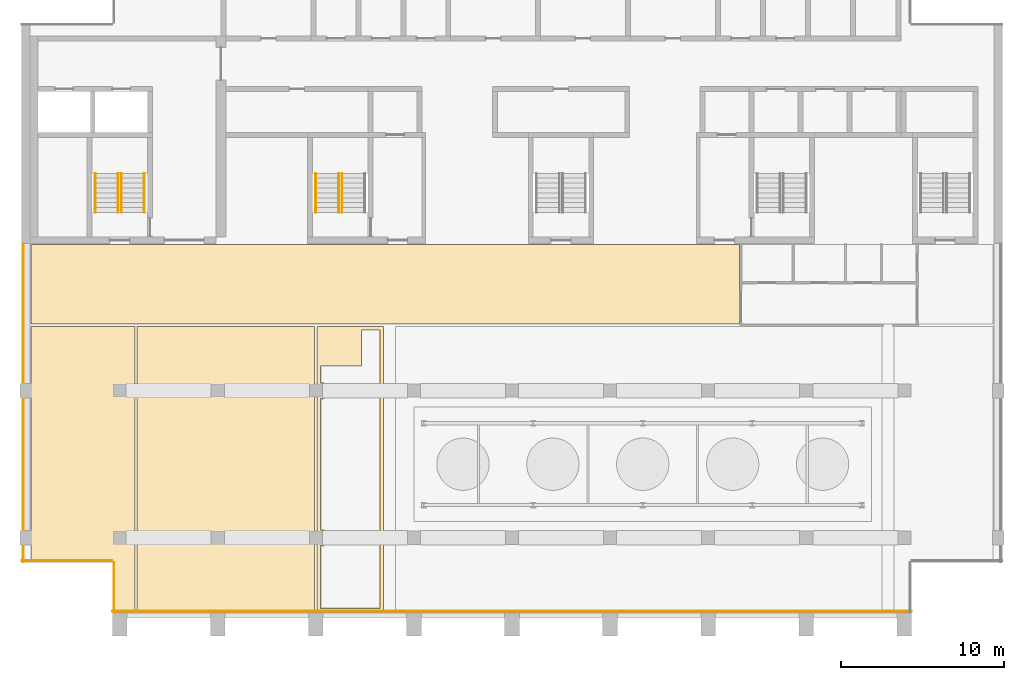
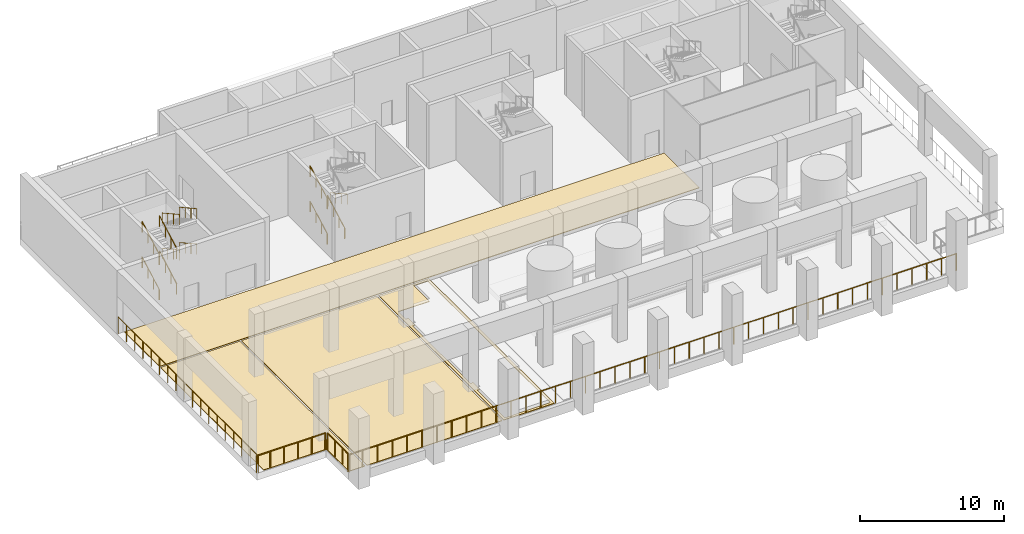
# One storey, part 8 of 11: 16 railings, 4 coverings, 2 elements without a shape of their own.
"""IFC4 building model written with IfcOpenShell, lengths in metres."""

import ifcopenshell
import ifcopenshell.guid

model = None  # the IFC model being written
_history = None  # IfcOwnerHistory: only IFC2X3 demands one
_inside = {}  # id of a spatial element -> (the spatial element, [elements in it])
_under = {}  # id of a project, library or spatial element -> (it, [spatial elements below it])
_declared = {}  # id of a project -> (the project, [libraries it declares])
_typed = {}  # id of a type object -> (the type object, [elements of that type])
_made_of = {}  # id of a material, layer set ... -> (it, [elements and type objects made of it])


def new_model(schema):
    """Start an empty IFC model of exactly this schema.

    Asked for "IFC4X3", IfcOpenShell would pick the latest addendum, in which some entities
    have other attributes; the version numbers below select the first issue.
    IFC2X3 requires an IfcOwnerHistory on every rooted entity: one is made here for all.
    """
    global model, _history
    if schema == "IFC4X3":
        model = ifcopenshell.file(schema_version=(4, 3, 0, 0))
    else:
        model = ifcopenshell.file(schema=schema)
    _inside.clear()
    _under.clear()
    _declared.clear()
    _typed.clear()
    _made_of.clear()
    _history = None
    if model.schema == "IFC2X3":
        org = make("IfcOrganization", Name="unknown")
        user = make(
            "IfcPersonAndOrganization",
            ThePerson=make("IfcPerson", FamilyName="unknown"),
            TheOrganization=org,
        )
        app = make(
            "IfcApplication",
            ApplicationDeveloper=org,
            Version="unknown",
            ApplicationFullName="unknown",
            ApplicationIdentifier="unknown",
        )
        _history = make(
            "IfcOwnerHistory",
            OwningUser=user,
            OwningApplication=app,
            ChangeAction="ADDED",
            CreationDate=0,
        )
    return model


def make(cls, **values):
    """One entity of the class cls with the attributes given. An attribute that is None is left unset."""
    return model.create_entity(
        cls, **{name: value for name, value in values.items() if value is not None}
    )


def rooted(cls, **values):
    """An entity with a GlobalId (a new one), such as an element, a storey or a relation."""
    return make(cls, GlobalId=ifcopenshell.guid.new(), OwnerHistory=_history, **values)


def si_unit(unit_type, name, prefix=None):
    """IfcSIUnit, for example si_unit("LENGTHUNIT", "METRE", prefix="MILLI")."""
    return make("IfcSIUnit", UnitType=unit_type, Prefix=prefix, Name=name)


def assignment(units):
    """IfcUnitAssignment: the units of a project."""
    return None if units is None else make("IfcUnitAssignment", Units=units)


def point(xyz):
    """IfcCartesianPoint."""
    return None if xyz is None else make("IfcCartesianPoint", Coordinates=xyz)


def direction(xyz):
    """IfcDirection."""
    return None if xyz is None else make("IfcDirection", DirectionRatios=xyz)


def frame(location, z_axis=None, x_axis=None):
    """IfcAxis2Placement3D, a coordinate frame: its origin and axes. An axis left out is left unset."""
    return make(
        "IfcAxis2Placement3D",
        Location=point(location),
        Axis=direction(z_axis),
        RefDirection=direction(x_axis),
    )


def frame_2d(location, x_axis=None):
    """IfcAxis2Placement2D, a coordinate frame in the plane: its origin and x axis."""
    return make(
        "IfcAxis2Placement2D", Location=point(location), RefDirection=direction(x_axis)
    )


def origin():
    """The frame at (0, 0, 0) with its axes left unset."""
    return frame((0.0, 0.0, 0.0))


def origin_2d():
    """The frame at (0, 0) in the plane with its x axis left unset."""
    return frame_2d((0.0, 0.0))


def place(relative_to, where):
    """IfcLocalPlacement: puts the frame where relative to a parent placement (None: the world)."""
    return make(
        "IfcLocalPlacement", PlacementRelTo=relative_to, RelativePlacement=where
    )


def context(
    kind, dimensions, precision=None, world=None, true_north=None, identifier=None
):
    """IfcGeometricRepresentationContext, for example the 3D "Model" context."""
    return make(
        "IfcGeometricRepresentationContext",
        ContextIdentifier=identifier,
        ContextType=kind,
        CoordinateSpaceDimension=dimensions,
        Precision=precision,
        WorldCoordinateSystem=world,
        TrueNorth=true_north,
    )


def subcontext(parent, identifier, kind, view, scale=None):
    """IfcGeometricRepresentationSubContext, for example "Body" below "Model"."""
    return make(
        "IfcGeometricRepresentationSubContext",
        ContextIdentifier=identifier,
        ContextType=kind,
        ParentContext=parent,
        TargetScale=scale,
        TargetView=view,
    )


def project(units=None, contexts=None):
    """IfcProject with its units and contexts."""
    return rooted(
        "IfcProject",
        Name="project",
        RepresentationContexts=contexts,
        UnitsInContext=assignment(units),
    )


def spatial(cls, under=None, at=None, **own):
    """A site, building, storey or space (cls), placed at a placement, below another one or the project."""
    s = rooted(cls, ObjectPlacement=at, **own)
    if under is not None:
        _under.setdefault(under.id(), (under, []))[1].append(s)
    return s


def polyline(points):
    """IfcPolyline through the points."""
    return make("IfcPolyline", Points=[point(p) for p in points])


def profile(cls, at=None, kind="AREA", **sizes):
    """A parametric profile (cls). Its sizes go by their IFC names, for example OverallWidth=200.0."""
    return make(cls, ProfileType=kind, Position=at, **sizes)


def circle(**sizes):
    """IfcCircleProfileDef."""
    return profile("IfcCircleProfileDef", **sizes)


def outline(outer, holes=None, kind="AREA"):
    """IfcArbitraryClosedProfileDef: a profile drawn as a closed curve; with holes, ...WithVoids."""
    if holes is None:
        return make("IfcArbitraryClosedProfileDef", ProfileType=kind, OuterCurve=outer)
    return make(
        "IfcArbitraryProfileDefWithVoids",
        ProfileType=kind,
        OuterCurve=outer,
        InnerCurves=holes,
    )


def extrude(swept, where, along, depth):
    """IfcExtrudedAreaSolid: the profile swept, set in the frame where, extruded along a direction by depth."""
    return make(
        "IfcExtrudedAreaSolid",
        SweptArea=swept,
        Position=where,
        ExtrudedDirection=direction(along),
        Depth=depth,
    )


def shape(context_of_items, identifier, shape_type, items):
    """IfcShapeRepresentation: the items that make up one representation, for example the "Body"."""
    return make(
        "IfcShapeRepresentation",
        ContextOfItems=context_of_items,
        RepresentationIdentifier=identifier,
        RepresentationType=shape_type,
        Items=items,
    )


def material(Name=None, Category=None):
    """IfcMaterial."""
    return make("IfcMaterial", Name=Name, Category=Category)


def layer(
    of_material, thickness, ventilated=None, Name=None, Category=None, Priority=None
):
    """IfcMaterialLayer: one layer of a wall or slab, of a material (None: an air gap)."""
    return make(
        "IfcMaterialLayer",
        Material=of_material,
        LayerThickness=thickness,
        IsVentilated=ventilated,
        Name=Name,
        Category=Category,
        Priority=Priority,
    )


def layer_set(layers, Name=None):
    """IfcMaterialLayerSet."""
    return make("IfcMaterialLayerSet", MaterialLayers=layers, LayerSetName=Name)


def made_of(thing, what):
    """Note that an element or type object is made of a material, layer set ...; save() writes the relation."""
    if what is not None:
        _made_of.setdefault(what.id(), (what, []))[1].append(thing)
    return thing


def type_object(cls, material=None, **own):
    """A type object (cls), such as IfcWallType, which elements share."""
    return made_of(rooted(cls, **own), material)


def element(
    cls,
    number,
    at=None,
    inside=None,
    cuts=None,
    type_object=None,
    material=None,
    context=None,
    identifier="Body",
    shape_type=None,
    held_by="IfcProductDefinitionShape",
    body=None,
    shapes=None,
    **own,
):
    """One element of the class cls, such as IfcWall. Its Tag is "e" and its number.

    at: its placement. inside: the storey or other place that contains it. cuts: it is an
    opening in that element (IfcRelVoidsElement). A single representation is given by context,
    identifier, shape_type and body (its items); several are given by shapes. held_by: the class
    of the entity that holds the representations. save() writes the other relations.
    """
    e = rooted(cls, Tag="e%d" % number, ObjectPlacement=at, **own)
    if body is not None:
        shapes = [shape(context, identifier, shape_type, body)]
    if shapes is not None:
        e.Representation = make(held_by, Representations=shapes)
    if inside is not None:
        _inside.setdefault(inside.id(), (inside, []))[1].append(e)
    if cuts is not None:
        rooted(
            "IfcRelVoidsElement", RelatingBuildingElement=cuts, RelatedOpeningElement=e
        )
    if type_object is not None:
        _typed.setdefault(type_object.id(), (type_object, []))[1].append(e)
    return made_of(e, material)


def aggregate(whole, parts):
    """IfcRelAggregates: a whole, such as a stair, and the parts it consists of."""
    return rooted("IfcRelAggregates", RelatingObject=whole, RelatedObjects=parts)


def save(model, path):
    """Write the relations noted so far, then the file.

    IfcRelAggregates (storeys below a building ...), IfcRelContainedInSpatialStructure (elements
    in a storey), IfcRelDefinesByType, IfcRelAssociatesMaterial and IfcRelDeclares: one each for
    every whole, place, type object, material and project.
    """
    for whole, parts in _under.values():
        aggregate(whole, parts)
    for where, things in _inside.values():
        rooted(
            "IfcRelContainedInSpatialStructure",
            RelatedElements=things,
            RelatingStructure=where,
        )
    for kind, things in _typed.values():
        rooted("IfcRelDefinesByType", RelatedObjects=things, RelatingType=kind)
    for what, things in _made_of.values():
        rooted("IfcRelAssociatesMaterial", RelatedObjects=things, RelatingMaterial=what)
    for by, libraries in _declared.values():
        rooted("IfcRelDeclares", RelatingContext=by, RelatedDefinitions=libraries)
    model.write(path)


model = new_model("IFC4")

# Units and contexts
model_context = context("Model", 3, precision=1e-05, world=origin(), true_north=direction((0.0, 1.0)))
body_context = subcontext(model_context, "Body", "Model", "MODEL_VIEW")
ifc_project = project(units=[si_unit("LENGTHUNIT", "METRE"), si_unit("AREAUNIT", "SQUARE_METRE"), si_unit("VOLUMEUNIT", "CUBIC_METRE"), si_unit("PLANEANGLEUNIT", "RADIAN"), si_unit("MASSUNIT", "GRAM", prefix="KILO")], contexts=[model_context])

# Site, building, storey
site_placement = place(None, origin())
site = spatial("IfcSite", under=ifc_project, at=site_placement, CompositionType="ELEMENT")
building_placement = place(site_placement, origin())
building = spatial("IfcBuilding", under=site, at=building_placement, Name="Calvaro Tower", CompositionType="ELEMENT")
storey_placement = place(building_placement, frame((0.0, 0.0, 265.949951171875)))
storey = spatial("IfcBuildingStorey", under=building, at=storey_placement, Name="L67", CompositionType="ELEMENT", Elevation=265.949951171875)

# Coverings
ifc_material_1 = material(Name="Cement screed with carpet tile finish")
ifc_layer = layer(ifc_material_1, 0.050048828125)
ifc_layer_set = layer_set([ifc_layer], Name="Cement screed with carpet tile finish")
covering_type = type_object("IfcCoveringType", Name="Floor finish 50", PredefinedType="FLOORING", material=ifc_layer_set)
covering_1_placement = place(storey_placement, origin())
element("IfcCovering", 1, at=covering_1_placement, inside=storey, type_object=covering_type, Name="Floor finish 39.02", PredefinedType="FLOORING", context=body_context, shape_type="SweptSolid", body=[
    extrude(outline(polyline([(49.929931640625, 23.070068359375), (6.570068359375, 23.070068359375), (6.570068359375, 27.929931640625), (49.929931640625, 27.929931640625), (49.929931640625, 23.070068359375)])), origin(), (0.0, 0.0, 1.0), 0.050048828125),
])
covering_2_placement = place(storey_placement, origin())
element("IfcCovering", 2, at=covering_2_placement, inside=storey, type_object=covering_type, Name="Floor finish 39.07", PredefinedType="FLOORING", context=body_context, shape_type="SweptSolid", body=[
    extrude(outline(polyline([(12.929931640625, 5.469970703125), (11.6201171875, 5.469970703125), (11.6201171875, 8.570068359375), (6.570068359375, 8.570068359375), (6.570068359375, 22.929931640625), (12.929931640625, 22.929931640625), (12.929931640625, 5.469970703125)])), origin(), (0.0, 0.0, 1.0), 0.050048828125),
])
covering_3_placement = place(storey_placement, origin())
element("IfcCovering", 3, at=covering_3_placement, inside=storey, type_object=covering_type, Name="Floor finish 39.04", PredefinedType="FLOORING", context=body_context, shape_type="SweptSolid", body=[
    extrude(outline(polyline([(23.929931640625, 22.929931640625), (23.929931640625, 5.469970703125), (13.070068359375, 5.469970703125), (13.070068359375, 22.929931640625), (23.929931640625, 22.929931640625)])), origin(), (0.0, 0.0, 1.0), 0.050048828125),
])
covering_4_placement = place(storey_placement, origin())
element("IfcCovering", 4, at=covering_4_placement, inside=storey, type_object=covering_type, Name="Floor finish 39.05", PredefinedType="FLOORING", context=body_context, shape_type="SweptSolid", body=[
    extrude(outline(polyline([(28.1298828125, 22.929931640625), (28.1298828125, 5.469970703125), (24.070068359375, 5.469970703125), (24.070068359375, 22.929931640625), (28.1298828125, 22.929931640625)]), holes=[polyline([(27.919921875, 22.699951171875), (27.919921875, 22.701904296875), (27.919677734375, 22.703857421875), (27.919189453125, 22.705810546875), (27.91845703125, 22.707763671875), (27.91748046875, 22.70947265625), (27.91650390625, 22.711181640625), (27.91552734375, 22.712646484375), (27.9140625, 22.714111328125), (27.91259765625, 22.715576171875), (27.9111328125, 22.716552734375), (27.909423828125, 22.717529296875), (27.90771484375, 22.718505859375), (27.90576171875, 22.718994140625), (27.90380859375, 22.719482421875), (27.902099609375, 22.719970703125), (27.89990234375, 22.719970703125), (26.800048828125, 22.719970703125), (26.798095703125, 22.719970703125), (26.796142578125, 22.719482421875), (26.794189453125, 22.718994140625), (26.792236328125, 22.718505859375), (26.79052734375, 22.717529296875), (26.788818359375, 22.716552734375), (26.787353515625, 22.715576171875), (26.785888671875, 22.714111328125), (26.784423828125, 22.712646484375), (26.783447265625, 22.711181640625), (26.782470703125, 22.70947265625), (26.781494140625, 22.707763671875), (26.781005859375, 22.705810546875), (26.780517578125, 22.703857421875), (26.780029296875, 22.701904296875), (26.780029296875, 22.699951171875), (26.780029296875, 20.52001953125), (24.300048828125, 20.52001953125), (24.298095703125, 20.52001953125), (24.296142578125, 20.51953125), (24.294189453125, 20.51904296875), (24.292236328125, 20.5185546875), (24.29052734375, 20.517578125), (24.288818359375, 20.5166015625), (24.287353515625, 20.515380859375), (24.285888671875, 20.51416015625), (24.284423828125, 20.5126953125), (24.283447265625, 20.510986328125), (24.282470703125, 20.509521484375), (24.281494140625, 20.5078125), (24.281005859375, 20.505859375), (24.280517578125, 20.50390625), (24.280029296875, 20.501953125), (24.280029296875, 20.5), (24.280029296875, 19.5), (24.280029296875, 19.498046875), (24.280517578125, 19.49609375), (24.281005859375, 19.494140625), (24.281494140625, 19.4921875), (24.282470703125, 19.490478515625), (24.283447265625, 19.489013671875), (24.284423828125, 19.4873046875), (24.285888671875, 19.48583984375), (24.287353515625, 19.484619140625), (24.288818359375, 19.4833984375), (24.29052734375, 19.482421875), (24.292236328125, 19.4814453125), (24.294189453125, 19.48095703125), (24.296142578125, 19.48046875), (24.298095703125, 19.47998046875), (24.300048828125, 19.47998046875), (24.47998046875, 19.47998046875), (24.47998046875, 18.52001953125), (24.300048828125, 18.52001953125), (24.298095703125, 18.52001953125), (24.296142578125, 18.51953125), (24.294189453125, 18.51904296875), (24.292236328125, 18.5185546875), (24.29052734375, 18.517578125), (24.288818359375, 18.5166015625), (24.287353515625, 18.515380859375), (24.285888671875, 18.51416015625), (24.284423828125, 18.5126953125), (24.283447265625, 18.510986328125), (24.282470703125, 18.509521484375), (24.281494140625, 18.5078125), (24.281005859375, 18.505859375), (24.280517578125, 18.50390625), (24.280029296875, 18.501953125), (24.280029296875, 18.5), (24.280029296875, 10.5), (24.280029296875, 10.498046875), (24.280517578125, 10.49609375), (24.281005859375, 10.494140625), (24.281494140625, 10.4921875), (24.282470703125, 10.490478515625), (24.283447265625, 10.489013671875), (24.284423828125, 10.4873046875), (24.285888671875, 10.48583984375), (24.287353515625, 10.484619140625), (24.288818359375, 10.4833984375), (24.29052734375, 10.482421875), (24.292236328125, 10.4814453125), (24.294189453125, 10.48095703125), (24.296142578125, 10.48046875), (24.298095703125, 10.47998046875), (24.300048828125, 10.47998046875), (24.47998046875, 10.47998046875), (24.47998046875, 9.52001953125), (24.300048828125, 9.52001953125), (24.298095703125, 9.52001953125), (24.296142578125, 9.51953125), (24.294189453125, 9.51904296875), (24.292236328125, 9.5185546875), (24.29052734375, 9.517578125), (24.288818359375, 9.5166015625), (24.287353515625, 9.515380859375), (24.285888671875, 9.51416015625), (24.284423828125, 9.5126953125), (24.283447265625, 9.510986328125), (24.282470703125, 9.509521484375), (24.281494140625, 9.5078125), (24.281005859375, 9.505859375), (24.280517578125, 9.50390625), (24.280029296875, 9.501953125), (24.280029296875, 9.5), (24.280029296875, 5.699951171875), (24.280029296875, 5.697998046875), (24.280517578125, 5.696044921875), (24.281005859375, 5.694091796875), (24.281494140625, 5.6923828125), (24.282470703125, 5.690673828125), (24.283447265625, 5.68896484375), (24.284423828125, 5.687255859375), (24.285888671875, 5.685791015625), (24.287353515625, 5.6845703125), (24.288818359375, 5.683349609375), (24.29052734375, 5.682373046875), (24.292236328125, 5.681396484375), (24.294189453125, 5.680908203125), (24.296142578125, 5.680419921875), (24.298095703125, 5.68017578125), (24.300048828125, 5.679931640625), (27.89990234375, 5.679931640625), (27.902099609375, 5.68017578125), (27.90380859375, 5.680419921875), (27.90576171875, 5.680908203125), (27.90771484375, 5.681396484375), (27.909423828125, 5.682373046875), (27.9111328125, 5.683349609375), (27.91259765625, 5.6845703125), (27.9140625, 5.685791015625), (27.91552734375, 5.687255859375), (27.91650390625, 5.68896484375), (27.91748046875, 5.690673828125), (27.91845703125, 5.6923828125), (27.919189453125, 5.694091796875), (27.919677734375, 5.696044921875), (27.919921875, 5.697998046875), (27.919921875, 5.699951171875), (27.919921875, 22.699951171875)])]), origin(), (0.0, 0.0, 1.0), 0.050048828125),
])

# Railings
ifc_material_2 = material(Name="Stainless steel", Category="steel")
railing_type_1 = type_object("IfcRailingType", Name="Guard 1450", PredefinedType="GUARDRAIL", material=ifc_material_2)
railing_1_placement = place(storey_placement, frame((60.449951171875, 5.5, 0.0)))
element("IfcRailing", 5, at=railing_1_placement, inside=storey, type_object=railing_type_1, Name="Edge guard", PredefinedType="GUARDRAIL", context=body_context, shape_type="SweptSolid", body=[
    extrude(circle(Radius=0.02392578125, at=origin_2d()), frame((0.0, 0.0, 1.42578125), z_axis=(-1.0, 0.0, 0.0), x_axis=(0.0, -1.0, 0.0)), (0.0, 0.0, 1.0), 48.89990234375),
    extrude(circle(Radius=0.02099609375, at=origin_2d()), frame((-0.02099609375, 0.0, 0.0)), (0.0, 0.0, 1.0), 1.40185546875),
    extrude(circle(Radius=0.02099609375, at=origin_2d()), frame((-1.192626953125, 0.0, 0.0)), (0.0, 0.0, 1.0), 1.40185546875),
    extrude(circle(Radius=0.02099609375, at=origin_2d()), frame((-2.38525390625, 0.0, 0.0)), (0.0, 0.0, 1.0), 1.40185546875),
    extrude(circle(Radius=0.02099609375, at=origin_2d()), frame((-3.578125, 0.0, 0.0)), (0.0, 0.0, 1.0), 1.40185546875),
    extrude(circle(Radius=0.02099609375, at=origin_2d()), frame((-4.770751953125, 0.0, 0.0)), (0.0, 0.0, 1.0), 1.40185546875),
    extrude(circle(Radius=0.02099609375, at=origin_2d()), frame((-5.96337890625, 0.0, 0.0)), (0.0, 0.0, 1.0), 1.40185546875),
    extrude(circle(Radius=0.02099609375, at=origin_2d()), frame((-7.156005859375, 0.0, 0.0)), (0.0, 0.0, 1.0), 1.40185546875),
    extrude(circle(Radius=0.02099609375, at=origin_2d()), frame((-8.348876953125, 0.0, 0.0)), (0.0, 0.0, 1.0), 1.40185546875),
    extrude(circle(Radius=0.02099609375, at=origin_2d()), frame((-9.54150390625, 0.0, 0.0)), (0.0, 0.0, 1.0), 1.40185546875),
    extrude(circle(Radius=0.02099609375, at=origin_2d()), frame((-10.734130859375, 0.0, 0.0)), (0.0, 0.0, 1.0), 1.40185546875),
    extrude(circle(Radius=0.02099609375, at=origin_2d()), frame((-11.9267578125, 0.0, 0.0)), (0.0, 0.0, 1.0), 1.40185546875),
    extrude(circle(Radius=0.02099609375, at=origin_2d()), frame((-13.119384765625, 0.0, 0.0)), (0.0, 0.0, 1.0), 1.40185546875),
    extrude(circle(Radius=0.02099609375, at=origin_2d()), frame((-14.312255859375, 0.0, 0.0)), (0.0, 0.0, 1.0), 1.40185546875),
    extrude(circle(Radius=0.02099609375, at=origin_2d()), frame((-15.5048828125, 0.0, 0.0)), (0.0, 0.0, 1.0), 1.40185546875),
    extrude(circle(Radius=0.02099609375, at=origin_2d()), frame((-16.697509765625, 0.0, 0.0)), (0.0, 0.0, 1.0), 1.40185546875),
    extrude(circle(Radius=0.02099609375, at=origin_2d()), frame((-17.89013671875, 0.0, 0.0)), (0.0, 0.0, 1.0), 1.40185546875),
    extrude(circle(Radius=0.02099609375, at=origin_2d()), frame((-19.0830078125, 0.0, 0.0)), (0.0, 0.0, 1.0), 1.40185546875),
    extrude(circle(Radius=0.02099609375, at=origin_2d()), frame((-20.275634765625, 0.0, 0.0)), (0.0, 0.0, 1.0), 1.40185546875),
    extrude(circle(Radius=0.02099609375, at=origin_2d()), frame((-21.46826171875, 0.0, 0.0)), (0.0, 0.0, 1.0), 1.40185546875),
    extrude(circle(Radius=0.02099609375, at=origin_2d()), frame((-22.660888671875, 0.0, 0.0)), (0.0, 0.0, 1.0), 1.40185546875),
    extrude(circle(Radius=0.02099609375, at=origin_2d()), frame((-23.853515625, 0.0, 0.0)), (0.0, 0.0, 1.0), 1.40185546875),
    extrude(circle(Radius=0.02099609375, at=origin_2d()), frame((-25.04638671875, 0.0, 0.0)), (0.0, 0.0, 1.0), 1.40185546875),
    extrude(circle(Radius=0.02099609375, at=origin_2d()), frame((-26.239013671875, 0.0, 0.0)), (0.0, 0.0, 1.0), 1.40185546875),
    extrude(circle(Radius=0.02099609375, at=origin_2d()), frame((-27.431640625, 0.0, 0.0)), (0.0, 0.0, 1.0), 1.40185546875),
    extrude(circle(Radius=0.02099609375, at=origin_2d()), frame((-28.624267578125, 0.0, 0.0)), (0.0, 0.0, 1.0), 1.40185546875),
    extrude(circle(Radius=0.02099609375, at=origin_2d()), frame((-29.81689453125, 0.0, 0.0)), (0.0, 0.0, 1.0), 1.40185546875),
    extrude(circle(Radius=0.02099609375, at=origin_2d()), frame((-31.009765625, 0.0, 0.0)), (0.0, 0.0, 1.0), 1.40185546875),
    extrude(circle(Radius=0.02099609375, at=origin_2d()), frame((-32.202392578125, 0.0, 0.0)), (0.0, 0.0, 1.0), 1.40185546875),
    extrude(circle(Radius=0.02099609375, at=origin_2d()), frame((-33.39501953125, 0.0, 0.0)), (0.0, 0.0, 1.0), 1.40185546875),
    extrude(circle(Radius=0.02099609375, at=origin_2d()), frame((-34.587646484375, 0.0, 0.0)), (0.0, 0.0, 1.0), 1.40185546875),
    extrude(circle(Radius=0.02099609375, at=origin_2d()), frame((-35.780517578125, 0.0, 0.0)), (0.0, 0.0, 1.0), 1.40185546875),
    extrude(circle(Radius=0.02099609375, at=origin_2d()), frame((-36.97314453125, 0.0, 0.0)), (0.0, 0.0, 1.0), 1.40185546875),
    extrude(circle(Radius=0.02099609375, at=origin_2d()), frame((-38.165771484375, 0.0, 0.0)), (0.0, 0.0, 1.0), 1.40185546875),
    extrude(circle(Radius=0.02099609375, at=origin_2d()), frame((-39.3583984375, 0.0, 0.0)), (0.0, 0.0, 1.0), 1.40185546875),
    extrude(circle(Radius=0.02099609375, at=origin_2d()), frame((-40.551025390625, 0.0, 0.0)), (0.0, 0.0, 1.0), 1.40185546875),
    extrude(circle(Radius=0.02099609375, at=origin_2d()), frame((-41.743896484375, 0.0, 0.0)), (0.0, 0.0, 1.0), 1.40185546875),
    extrude(circle(Radius=0.02099609375, at=origin_2d()), frame((-42.9365234375, 0.0, 0.0)), (0.0, 0.0, 1.0), 1.40185546875),
    extrude(circle(Radius=0.02099609375, at=origin_2d()), frame((-44.129150390625, 0.0, 0.0)), (0.0, 0.0, 1.0), 1.40185546875),
    extrude(circle(Radius=0.02099609375, at=origin_2d()), frame((-45.32177734375, 0.0, 0.0)), (0.0, 0.0, 1.0), 1.40185546875),
    extrude(circle(Radius=0.02099609375, at=origin_2d()), frame((-46.5146484375, 0.0, 0.0)), (0.0, 0.0, 1.0), 1.40185546875),
    extrude(circle(Radius=0.02099609375, at=origin_2d()), frame((-47.707275390625, 0.0, 0.0)), (0.0, 0.0, 1.0), 1.40185546875),
    extrude(circle(Radius=0.02099609375, at=origin_2d()), frame((-48.87890625, 0.0, 0.0)), (0.0, 0.0, 1.0), 1.40185546875),
])
railing_2_placement = place(storey_placement, frame((11.64990234375, 5.39990234375, 0.0)))
element("IfcRailing", 6, at=railing_2_placement, inside=storey, type_object=railing_type_1, Name="Edge guard", PredefinedType="GUARDRAIL", context=body_context, shape_type="SweptSolid", body=[
    extrude(circle(Radius=0.02392578125, at=origin_2d()), frame((0.0, 0.0, 1.42578125), z_axis=(0.0, 1.0, 0.0), x_axis=(-1.0, 0.0, 0.0)), (0.0, 0.0, 1.0), 3.10009765625),
    extrude(circle(Radius=0.02099609375, at=origin_2d()), frame((0.0, 0.02099609375, 0.0)), (0.0, 0.0, 1.0), 1.40185546875),
    extrude(circle(Radius=0.02099609375, at=origin_2d()), frame((0.0, 1.033447265625, 0.0)), (0.0, 0.0, 1.0), 1.40185546875),
    extrude(circle(Radius=0.02099609375, at=origin_2d()), frame((0.0, 2.066650390625, 0.0)), (0.0, 0.0, 1.0), 1.40185546875),
    extrude(circle(Radius=0.02099609375, at=origin_2d()), frame((0.0, 3.0791015625, 0.0)), (0.0, 0.0, 1.0), 1.40185546875),
])
railing_3_placement = place(storey_placement, frame((11.550048828125, 8.60009765625, 0.0)))
element("IfcRailing", 7, at=railing_3_placement, inside=storey, type_object=railing_type_1, Name="Edge guard", PredefinedType="GUARDRAIL", context=body_context, shape_type="SweptSolid", body=[
    extrude(circle(Radius=0.02392578125, at=origin_2d()), frame((0.0, 0.0, 1.42578125), z_axis=(-1.0, 0.0, 0.0), x_axis=(0.0, -1.0, 0.0)), (0.0, 0.0, 1.0), 5.550048828125),
    extrude(circle(Radius=0.02099609375, at=origin_2d()), frame((-0.02099609375, 0.0, 0.0)), (0.0, 0.0, 1.0), 1.40185546875),
    extrude(circle(Radius=0.02099609375, at=origin_2d()), frame((-1.110107421875, 0.0, 0.0)), (0.0, 0.0, 1.0), 1.40185546875),
    extrude(circle(Radius=0.02099609375, at=origin_2d()), frame((-2.219970703125, 0.0, 0.0)), (0.0, 0.0, 1.0), 1.40185546875),
    extrude(circle(Radius=0.02099609375, at=origin_2d()), frame((-3.330078125, 0.0, 0.0)), (0.0, 0.0, 1.0), 1.40185546875),
    extrude(circle(Radius=0.02099609375, at=origin_2d()), frame((-4.43994140625, 0.0, 0.0)), (0.0, 0.0, 1.0), 1.40185546875),
    extrude(circle(Radius=0.02099609375, at=origin_2d()), frame((-5.529052734375, 0.0, 0.0)), (0.0, 0.0, 1.0), 1.40185546875),
])
railing_4_placement = place(storey_placement, frame((6.10009765625, 8.5, 0.0)))
element("IfcRailing", 8, at=railing_4_placement, inside=storey, type_object=railing_type_1, Name="Edge guard", PredefinedType="GUARDRAIL", context=body_context, shape_type="SweptSolid", body=[
    extrude(circle(Radius=0.02392578125, at=origin_2d()), frame((0.0, 0.0, 1.42578125), z_axis=(0.0, 1.0, 0.0), x_axis=(-1.0, 0.0, 0.0)), (0.0, 0.0, 1.0), 19.5),
    extrude(circle(Radius=0.02099609375, at=origin_2d()), frame((0.0, 0.02099609375, 0.0)), (0.0, 0.0, 1.0), 1.40185546875),
    extrude(circle(Radius=0.02099609375, at=origin_2d()), frame((0.0, 1.14697265625, 0.0)), (0.0, 0.0, 1.0), 1.40185546875),
    extrude(circle(Radius=0.02099609375, at=origin_2d()), frame((0.0, 2.294189453125, 0.0)), (0.0, 0.0, 1.0), 1.40185546875),
    extrude(circle(Radius=0.02099609375, at=origin_2d()), frame((0.0, 3.441162109375, 0.0)), (0.0, 0.0, 1.0), 1.40185546875),
    extrude(circle(Radius=0.02099609375, at=origin_2d()), frame((0.0, 4.588134765625, 0.0)), (0.0, 0.0, 1.0), 1.40185546875),
    extrude(circle(Radius=0.02099609375, at=origin_2d()), frame((0.0, 5.7353515625, 0.0)), (0.0, 0.0, 1.0), 1.40185546875),
    extrude(circle(Radius=0.02099609375, at=origin_2d()), frame((0.0, 6.88232421875, 0.0)), (0.0, 0.0, 1.0), 1.40185546875),
    extrude(circle(Radius=0.02099609375, at=origin_2d()), frame((0.0, 8.029296875, 0.0)), (0.0, 0.0, 1.0), 1.40185546875),
    extrude(circle(Radius=0.02099609375, at=origin_2d()), frame((0.0, 9.176513671875, 0.0)), (0.0, 0.0, 1.0), 1.40185546875),
    extrude(circle(Radius=0.02099609375, at=origin_2d()), frame((0.0, 10.323486328125, 0.0)), (0.0, 0.0, 1.0), 1.40185546875),
    extrude(circle(Radius=0.02099609375, at=origin_2d()), frame((0.0, 11.470703125, 0.0)), (0.0, 0.0, 1.0), 1.40185546875),
    extrude(circle(Radius=0.02099609375, at=origin_2d()), frame((0.0, 12.61767578125, 0.0)), (0.0, 0.0, 1.0), 1.40185546875),
    extrude(circle(Radius=0.02099609375, at=origin_2d()), frame((0.0, 13.7646484375, 0.0)), (0.0, 0.0, 1.0), 1.40185546875),
    extrude(circle(Radius=0.02099609375, at=origin_2d()), frame((0.0, 14.911865234375, 0.0)), (0.0, 0.0, 1.0), 1.40185546875),
    extrude(circle(Radius=0.02099609375, at=origin_2d()), frame((0.0, 16.058837890625, 0.0)), (0.0, 0.0, 1.0), 1.40185546875),
    extrude(circle(Radius=0.02099609375, at=origin_2d()), frame((0.0, 17.205810546875, 0.0)), (0.0, 0.0, 1.0), 1.40185546875),
    extrude(circle(Radius=0.02099609375, at=origin_2d()), frame((0.0, 18.35302734375, 0.0)), (0.0, 0.0, 1.0), 1.40185546875),
    extrude(circle(Radius=0.02099609375, at=origin_2d()), frame((0.0, 19.47900390625, 0.0)), (0.0, 0.0, 1.0), 1.40185546875),
])

# Stair, railings
ifc_material_3 = material(Name="Concrete C40/50", Category="concrete")
stair_type = type_object("IfcStairType", Name="Exit stair 1400 4 flights", PredefinedType="DOUBLE_RETURN_STAIR", material=ifc_material_3)
stair_1_placement = place(storey_placement, origin())
stair_1 = element("IfcStair", 9, at=stair_1_placement, inside=storey, type_object=stair_type, Name="Exit stair S1", PredefinedType="DOUBLE_RETURN_STAIR")
ifc_material_4 = material(Name="Stainless steel", Category="steel")
railing_type_2 = type_object("IfcRailingType", Name="Stair handrail", PredefinedType="HANDRAIL", material=ifc_material_4)
railing_5_placement = place(storey_placement, frame((11.89990234375, 29.89990234375, 0.166748046875)))
railing_5 = element("IfcRailing", 10, at=railing_5_placement, type_object=railing_type_2, Name="Exit stair 1 handrail", PredefinedType="HANDRAIL", context=body_context, shape_type="SweptSolid", body=[
    extrude(circle(Radius=0.02392578125, at=origin_2d()), frame((0.0, 0.0, 0.8759765625), z_axis=(0.0, 0.874182441271, 0.485597631145), x_axis=(-1.0, 0.0, 0.0)), (0.0, 0.0, 1.0), 2.74560546875),
    extrude(circle(Radius=0.02099609375, at=origin_2d()), frame((0.0, 0.018310546875, 0.01025390625)), (0.0, 0.0, 1.0), 0.851806640625),
    extrude(circle(Radius=0.02099609375, at=origin_2d()), frame((0.0, 0.800048828125, 0.4443359375)), (0.0, 0.0, 1.0), 0.851806640625),
    extrude(circle(Radius=0.02099609375, at=origin_2d()), frame((0.0, 1.60009765625, 0.888916015625)), (0.0, 0.0, 1.0), 0.851806640625),
    extrude(circle(Radius=0.02099609375, at=origin_2d()), frame((0.0, 2.3818359375, 1.322998046875)), (0.0, 0.0, 1.0), 0.851806640625),
])
railing_6_placement = place(storey_placement, frame((10.5, 29.89990234375, 0.166748046875)))
railing_6 = element("IfcRailing", 11, at=railing_6_placement, type_object=railing_type_2, Name="Exit stair 1 handrail", PredefinedType="HANDRAIL", context=body_context, shape_type="SweptSolid", body=[
    extrude(circle(Radius=0.02392578125, at=origin_2d()), frame((0.0, 0.0, 0.8759765625), z_axis=(0.0, 0.874182441271, 0.485597631145), x_axis=(-1.0, 0.0, 0.0)), (0.0, 0.0, 1.0), 2.74560546875),
    extrude(circle(Radius=0.02099609375, at=origin_2d()), frame((0.0, 0.018310546875, 0.01025390625)), (0.0, 0.0, 1.0), 0.851806640625),
    extrude(circle(Radius=0.02099609375, at=origin_2d()), frame((0.0, 0.800048828125, 0.4443359375)), (0.0, 0.0, 1.0), 0.851806640625),
    extrude(circle(Radius=0.02099609375, at=origin_2d()), frame((0.0, 1.60009765625, 0.888916015625)), (0.0, 0.0, 1.0), 0.851806640625),
    extrude(circle(Radius=0.02099609375, at=origin_2d()), frame((0.0, 2.3818359375, 1.322998046875)), (0.0, 0.0, 1.0), 0.851806640625),
])
railing_7_placement = place(storey_placement, frame((12.10009765625, 32.300048828125, 1.666748046875)))
railing_7 = element("IfcRailing", 12, at=railing_7_placement, type_object=railing_type_2, Name="Exit stair 1 handrail", PredefinedType="HANDRAIL", context=body_context, shape_type="SweptSolid", body=[
    extrude(circle(Radius=0.02392578125, at=origin_2d()), frame((0.0, 0.0, 0.8759765625), z_axis=(0.0, -0.874182441271, 0.485597631145), x_axis=(1.0, 0.0, 0.0)), (0.0, 0.0, 1.0), 2.74560546875),
    extrude(circle(Radius=0.02099609375, at=origin_2d()), frame((0.0, -0.018310546875, 0.01025390625)), (0.0, 0.0, 1.0), 0.851806640625),
    extrude(circle(Radius=0.02099609375, at=origin_2d()), frame((0.0, -0.800048828125, 0.4443359375)), (0.0, 0.0, 1.0), 0.851806640625),
    extrude(circle(Radius=0.02099609375, at=origin_2d()), frame((0.0, -1.60009765625, 0.888916015625)), (0.0, 0.0, 1.0), 0.851806640625),
    extrude(circle(Radius=0.02099609375, at=origin_2d()), frame((0.0, -2.3818359375, 1.322998046875)), (0.0, 0.0, 1.0), 0.851806640625),
])
railing_8_placement = place(storey_placement, frame((13.5, 32.300048828125, 1.666748046875)))
railing_8 = element("IfcRailing", 13, at=railing_8_placement, type_object=railing_type_2, Name="Exit stair 1 handrail", PredefinedType="HANDRAIL", context=body_context, shape_type="SweptSolid", body=[
    extrude(circle(Radius=0.02392578125, at=origin_2d()), frame((0.0, 0.0, 0.8759765625), z_axis=(0.0, -0.874182441271, 0.485597631145), x_axis=(1.0, 0.0, 0.0)), (0.0, 0.0, 1.0), 2.74560546875),
    extrude(circle(Radius=0.02099609375, at=origin_2d()), frame((0.0, -0.018310546875, 0.01025390625)), (0.0, 0.0, 1.0), 0.851806640625),
    extrude(circle(Radius=0.02099609375, at=origin_2d()), frame((0.0, -0.800048828125, 0.4443359375)), (0.0, 0.0, 1.0), 0.851806640625),
    extrude(circle(Radius=0.02099609375, at=origin_2d()), frame((0.0, -1.60009765625, 0.888916015625)), (0.0, 0.0, 1.0), 0.851806640625),
    extrude(circle(Radius=0.02099609375, at=origin_2d()), frame((0.0, -2.3818359375, 1.322998046875)), (0.0, 0.0, 1.0), 0.851806640625),
])
railing_9_placement = place(storey_placement, frame((11.89990234375, 29.89990234375, 3.166748046875)))
railing_9 = element("IfcRailing", 14, at=railing_9_placement, type_object=railing_type_2, Name="Exit stair 1 handrail", PredefinedType="HANDRAIL", context=body_context, shape_type="SweptSolid", body=[
    extrude(circle(Radius=0.02392578125, at=origin_2d()), frame((0.0, 0.0, 0.8759765625), z_axis=(0.0, 0.874182441271, 0.485597631145), x_axis=(-1.0, 0.0, 0.0)), (0.0, 0.0, 1.0), 2.74560546875),
    extrude(circle(Radius=0.02099609375, at=origin_2d()), frame((0.0, 0.018310546875, 0.01025390625)), (0.0, 0.0, 1.0), 0.851806640625),
    extrude(circle(Radius=0.02099609375, at=origin_2d()), frame((0.0, 0.800048828125, 0.4443359375)), (0.0, 0.0, 1.0), 0.851806640625),
    extrude(circle(Radius=0.02099609375, at=origin_2d()), frame((0.0, 1.60009765625, 0.888916015625)), (0.0, 0.0, 1.0), 0.851806640625),
    extrude(circle(Radius=0.02099609375, at=origin_2d()), frame((0.0, 2.3818359375, 1.322998046875)), (0.0, 0.0, 1.0), 0.851806640625),
])
railing_10_placement = place(storey_placement, frame((10.5, 29.89990234375, 3.166748046875)))
railing_10 = element("IfcRailing", 15, at=railing_10_placement, type_object=railing_type_2, Name="Exit stair 1 handrail", PredefinedType="HANDRAIL", context=body_context, shape_type="SweptSolid", body=[
    extrude(circle(Radius=0.02392578125, at=origin_2d()), frame((0.0, 0.0, 0.8759765625), z_axis=(0.0, 0.874182441271, 0.485597631145), x_axis=(-1.0, 0.0, 0.0)), (0.0, 0.0, 1.0), 2.74560546875),
    extrude(circle(Radius=0.02099609375, at=origin_2d()), frame((0.0, 0.018310546875, 0.01025390625)), (0.0, 0.0, 1.0), 0.851806640625),
    extrude(circle(Radius=0.02099609375, at=origin_2d()), frame((0.0, 0.800048828125, 0.4443359375)), (0.0, 0.0, 1.0), 0.851806640625),
    extrude(circle(Radius=0.02099609375, at=origin_2d()), frame((0.0, 1.60009765625, 0.888916015625)), (0.0, 0.0, 1.0), 0.851806640625),
    extrude(circle(Radius=0.02099609375, at=origin_2d()), frame((0.0, 2.3818359375, 1.322998046875)), (0.0, 0.0, 1.0), 0.851806640625),
])
railing_11_placement = place(storey_placement, frame((12.10009765625, 32.300048828125, 4.666748046875)))
railing_11 = element("IfcRailing", 16, at=railing_11_placement, type_object=railing_type_2, Name="Exit stair 1 handrail", PredefinedType="HANDRAIL", context=body_context, shape_type="SweptSolid", body=[
    extrude(circle(Radius=0.02392578125, at=origin_2d()), frame((0.0, 0.0, 0.8759765625), z_axis=(0.0, -0.874182441271, 0.485597631145), x_axis=(1.0, 0.0, 0.0)), (0.0, 0.0, 1.0), 2.74560546875),
    extrude(circle(Radius=0.02099609375, at=origin_2d()), frame((0.0, -0.018310546875, 0.01025390625)), (0.0, 0.0, 1.0), 0.851806640625),
    extrude(circle(Radius=0.02099609375, at=origin_2d()), frame((0.0, -0.800048828125, 0.4443359375)), (0.0, 0.0, 1.0), 0.851806640625),
    extrude(circle(Radius=0.02099609375, at=origin_2d()), frame((0.0, -1.60009765625, 0.888916015625)), (0.0, 0.0, 1.0), 0.851806640625),
    extrude(circle(Radius=0.02099609375, at=origin_2d()), frame((0.0, -2.3818359375, 1.322998046875)), (0.0, 0.0, 1.0), 0.851806640625),
])
railing_12_placement = place(storey_placement, frame((13.5, 32.300048828125, 4.666748046875)))
railing_12 = element("IfcRailing", 17, at=railing_12_placement, type_object=railing_type_2, Name="Exit stair 1 handrail", PredefinedType="HANDRAIL", context=body_context, shape_type="SweptSolid", body=[
    extrude(circle(Radius=0.02392578125, at=origin_2d()), frame((0.0, 0.0, 0.8759765625), z_axis=(0.0, -0.874182441271, 0.485597631145), x_axis=(1.0, 0.0, 0.0)), (0.0, 0.0, 1.0), 2.74560546875),
    extrude(circle(Radius=0.02099609375, at=origin_2d()), frame((0.0, -0.018310546875, 0.01025390625)), (0.0, 0.0, 1.0), 0.851806640625),
    extrude(circle(Radius=0.02099609375, at=origin_2d()), frame((0.0, -0.800048828125, 0.4443359375)), (0.0, 0.0, 1.0), 0.851806640625),
    extrude(circle(Radius=0.02099609375, at=origin_2d()), frame((0.0, -1.60009765625, 0.888916015625)), (0.0, 0.0, 1.0), 0.851806640625),
    extrude(circle(Radius=0.02099609375, at=origin_2d()), frame((0.0, -2.3818359375, 1.322998046875)), (0.0, 0.0, 1.0), 0.851806640625),
])
aggregate(stair_1, [railing_5, railing_6, railing_7, railing_8, railing_9, railing_10, railing_11, railing_12])

stair_2_placement = place(storey_placement, origin())
stair_2 = element("IfcStair", 18, at=stair_2_placement, inside=storey, type_object=stair_type, Name="Exit stair S2", PredefinedType="DOUBLE_RETURN_STAIR")
railing_13_placement = place(storey_placement, frame((25.39990234375, 29.89990234375, 0.166748046875)))
railing_13 = element("IfcRailing", 19, at=railing_13_placement, type_object=railing_type_2, Name="Exit stair 2 handrail", PredefinedType="HANDRAIL", context=body_context, shape_type="SweptSolid", body=[
    extrude(circle(Radius=0.02392578125, at=origin_2d()), frame((0.0, 0.0, 0.8759765625), z_axis=(0.0, 0.874182441271, 0.485597631145), x_axis=(-1.0, 0.0, 0.0)), (0.0, 0.0, 1.0), 2.74560546875),
    extrude(circle(Radius=0.02099609375, at=origin_2d()), frame((0.0, 0.018310546875, 0.01025390625)), (0.0, 0.0, 1.0), 0.851806640625),
    extrude(circle(Radius=0.02099609375, at=origin_2d()), frame((0.0, 0.800048828125, 0.4443359375)), (0.0, 0.0, 1.0), 0.851806640625),
    extrude(circle(Radius=0.02099609375, at=origin_2d()), frame((0.0, 1.60009765625, 0.888916015625)), (0.0, 0.0, 1.0), 0.851806640625),
    extrude(circle(Radius=0.02099609375, at=origin_2d()), frame((0.0, 2.3818359375, 1.322998046875)), (0.0, 0.0, 1.0), 0.851806640625),
])
railing_14_placement = place(storey_placement, frame((24.0, 29.89990234375, 0.166748046875)))
railing_14 = element("IfcRailing", 20, at=railing_14_placement, type_object=railing_type_2, Name="Exit stair 2 handrail", PredefinedType="HANDRAIL", context=body_context, shape_type="SweptSolid", body=[
    extrude(circle(Radius=0.02392578125, at=origin_2d()), frame((0.0, 0.0, 0.8759765625), z_axis=(0.0, 0.874182441271, 0.485597631145), x_axis=(-1.0, 0.0, 0.0)), (0.0, 0.0, 1.0), 2.74560546875),
    extrude(circle(Radius=0.02099609375, at=origin_2d()), frame((0.0, 0.018310546875, 0.01025390625)), (0.0, 0.0, 1.0), 0.851806640625),
    extrude(circle(Radius=0.02099609375, at=origin_2d()), frame((0.0, 0.800048828125, 0.4443359375)), (0.0, 0.0, 1.0), 0.851806640625),
    extrude(circle(Radius=0.02099609375, at=origin_2d()), frame((0.0, 1.60009765625, 0.888916015625)), (0.0, 0.0, 1.0), 0.851806640625),
    extrude(circle(Radius=0.02099609375, at=origin_2d()), frame((0.0, 2.3818359375, 1.322998046875)), (0.0, 0.0, 1.0), 0.851806640625),
])
railing_15_placement = place(storey_placement, frame((25.60009765625, 32.300048828125, 1.666748046875)))
railing_15 = element("IfcRailing", 21, at=railing_15_placement, type_object=railing_type_2, Name="Exit stair 2 handrail", PredefinedType="HANDRAIL", context=body_context, shape_type="SweptSolid", body=[
    extrude(circle(Radius=0.02392578125, at=origin_2d()), frame((0.0, 0.0, 0.8759765625), z_axis=(0.0, -0.874182441271, 0.485597631145), x_axis=(1.0, 0.0, 0.0)), (0.0, 0.0, 1.0), 2.74560546875),
    extrude(circle(Radius=0.02099609375, at=origin_2d()), frame((0.0, -0.018310546875, 0.01025390625)), (0.0, 0.0, 1.0), 0.851806640625),
    extrude(circle(Radius=0.02099609375, at=origin_2d()), frame((0.0, -0.800048828125, 0.4443359375)), (0.0, 0.0, 1.0), 0.851806640625),
    extrude(circle(Radius=0.02099609375, at=origin_2d()), frame((0.0, -1.60009765625, 0.888916015625)), (0.0, 0.0, 1.0), 0.851806640625),
    extrude(circle(Radius=0.02099609375, at=origin_2d()), frame((0.0, -2.3818359375, 1.322998046875)), (0.0, 0.0, 1.0), 0.851806640625),
])
railing_16_placement = place(storey_placement, frame((24.0, 29.89990234375, 3.166748046875)))
railing_16 = element("IfcRailing", 22, at=railing_16_placement, type_object=railing_type_2, Name="Exit stair 2 handrail", PredefinedType="HANDRAIL", context=body_context, shape_type="SweptSolid", body=[
    extrude(circle(Radius=0.02392578125, at=origin_2d()), frame((0.0, 0.0, 0.8759765625), z_axis=(0.0, 0.874182441271, 0.485597631145), x_axis=(-1.0, 0.0, 0.0)), (0.0, 0.0, 1.0), 2.74560546875),
    extrude(circle(Radius=0.02099609375, at=origin_2d()), frame((0.0, 0.018310546875, 0.01025390625)), (0.0, 0.0, 1.0), 0.851806640625),
    extrude(circle(Radius=0.02099609375, at=origin_2d()), frame((0.0, 0.800048828125, 0.4443359375)), (0.0, 0.0, 1.0), 0.851806640625),
    extrude(circle(Radius=0.02099609375, at=origin_2d()), frame((0.0, 1.60009765625, 0.888916015625)), (0.0, 0.0, 1.0), 0.851806640625),
    extrude(circle(Radius=0.02099609375, at=origin_2d()), frame((0.0, 2.3818359375, 1.322998046875)), (0.0, 0.0, 1.0), 0.851806640625),
])
aggregate(stair_2, [railing_13, railing_14, railing_15, railing_16])

save(model, "model.ifc")
